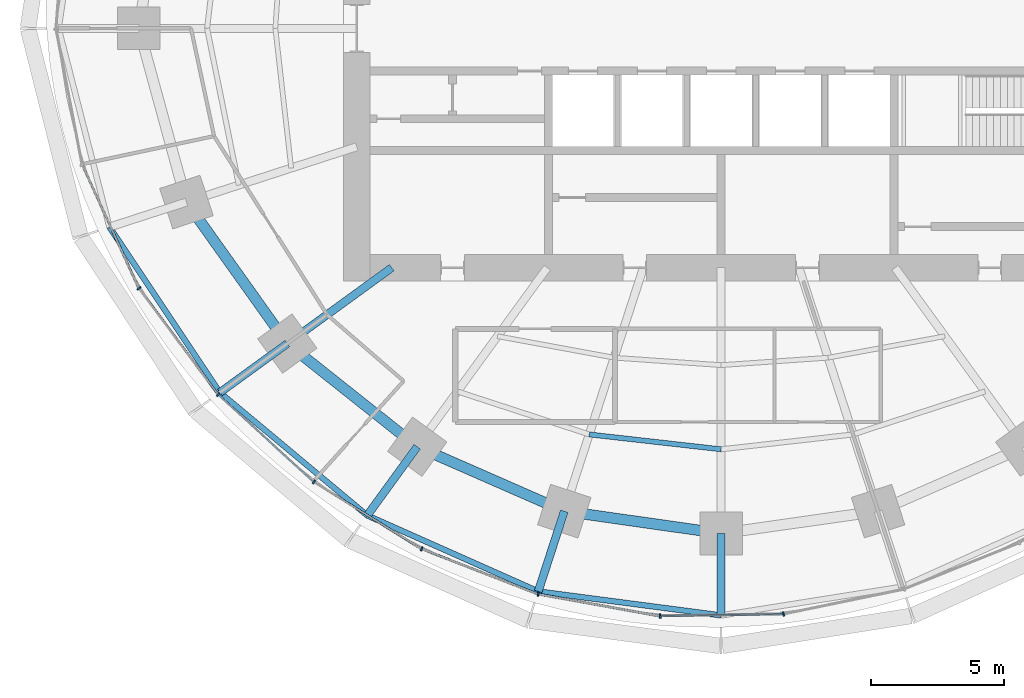
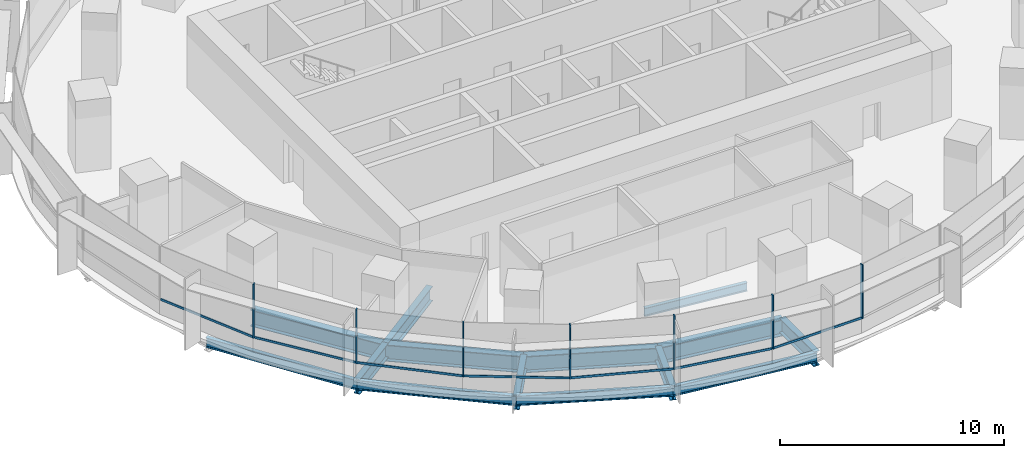
# One storey, part 2 of 14: 14 beams, 14 members, 2 elements without a shape of their own.
"""IFC4 building model written with IfcOpenShell, lengths in metres."""

from ifc_helpers import new_model, si_unit, direction, frame, origin, origin_2d, place, context, subcontext, project, spatial, rectangle, i_section, extrude, material, material_profile, profile_set, type_object, element, aggregate, save


model = new_model("IFC4")

# Units and contexts
model_context = context("Model", 3, precision=1e-05, world=origin(), true_north=direction((0.0, 1.0)))
body_context = subcontext(model_context, "Body", "Model", "MODEL_VIEW")
ifc_project = project(units=[si_unit("LENGTHUNIT", "METRE"), si_unit("AREAUNIT", "SQUARE_METRE"), si_unit("VOLUMEUNIT", "CUBIC_METRE"), si_unit("PLANEANGLEUNIT", "RADIAN"), si_unit("MASSUNIT", "GRAM", prefix="KILO")], contexts=[model_context])

# Site, building, storey
site_placement = place(None, origin())
site = spatial("IfcSite", under=ifc_project, at=site_placement, CompositionType="ELEMENT")
building_placement = place(site_placement, origin())
building = spatial("IfcBuilding", under=site, at=building_placement, Name="Marramba Exchange Tower", CompositionType="ELEMENT")
storey_placement = place(building_placement, frame((0.0, 0.0, 104.10009765625)))
storey = spatial("IfcBuildingStorey", under=building, at=storey_placement, Name="L24", CompositionType="ELEMENT", Elevation=104.10009765625)

# Beams
ifc_material_1 = material(Name="Steel AS/NZS 3679.2 grade 300", Category="steel")
ifc_material_profile_1 = material_profile(ifc_material_1, i_section(OverallWidth=0.300048828125, OverallDepth=0.800048828125, WebThickness=0.013916015625, FlangeThickness=0.031982421875, at=origin_2d()), Name="800WB192")
ifc_profile_set_1 = profile_set([ifc_material_profile_1], Name="Steel AS/NZS 3679.2 grade 300")
beam_type_1 = type_object("IfcBeamType", Name="Cantilever girder 800WB192", PredefinedType="BEAM", material=ifc_profile_set_1)
beam_1_placement = place(storey_placement, frame((-16.3154296875, -11.853759765625, -0.56005859375), z_axis=(-0.809025813822, -0.587773113173, 0.0), x_axis=(0.587773113173, -0.809025813822, 0.0)))
element("IfcBeam", 1, at=beam_1_placement, inside=storey, type_object=beam_type_1, Name="Cantilever girder L24 TC13", PredefinedType="BEAM", context=body_context, shape_type="SweptSolid", body=[
    extrude(i_section(OverallWidth=0.300048828125, OverallDepth=0.800048828125, WebThickness=0.013916015625, FlangeThickness=0.031982421875, at=origin_2d()), origin(), (0.0, 0.0, 1.0), 3.132568359375),
])
beam_2_placement = place(storey_placement, frame((-11.430419921875, -15.732666015625, -0.56005859375), z_axis=(-0.587767308424, -0.809030031054, 0.0), x_axis=(0.809030031054, -0.587767308424, 0.0)))
element("IfcBeam", 2, at=beam_2_placement, inside=storey, type_object=beam_type_1, Name="Cantilever girder L24 TC14", PredefinedType="BEAM", context=body_context, shape_type="SweptSolid", body=[
    extrude(i_section(OverallWidth=0.300048828125, OverallDepth=0.800048828125, WebThickness=0.013916015625, FlangeThickness=0.031982421875, at=origin_2d()), origin(), (0.0, 0.0, 1.0), 3.195556640625),
])
beam_3_placement = place(storey_placement, frame((-5.899658203125, -18.156982421875, -0.56005859375), z_axis=(-0.309018232614, -0.951056113966, 0.0), x_axis=(0.951056113966, -0.309018232614, 0.0)))
element("IfcBeam", 3, at=beam_3_placement, inside=storey, type_object=beam_type_1, Name="Cantilever girder L24 TC15", PredefinedType="BEAM", context=body_context, shape_type="SweptSolid", body=[
    extrude(i_section(OverallWidth=0.300048828125, OverallDepth=0.800048828125, WebThickness=0.013916015625, FlangeThickness=0.031982421875, at=origin_2d()), origin(), (0.0, 0.0, 1.0), 3.173583984375),
])
beam_4_placement = place(storey_placement, frame((0.0, -18.99609375, -0.56005859375), z_axis=(0.0, -1.0, 0.0), x_axis=(1.0, 0.0, 0.0)))
element("IfcBeam", 4, at=beam_4_placement, inside=storey, type_object=beam_type_1, Name="Cantilever girder L24 TC16", PredefinedType="BEAM", context=body_context, shape_type="SweptSolid", body=[
    extrude(i_section(OverallWidth=0.300048828125, OverallDepth=0.800048828125, WebThickness=0.013916015625, FlangeThickness=0.031982421875, at=origin_2d()), origin(), (0.0, 0.0, 1.0), 3.080810546875),
])
ifc_material_2 = material(Name="Steel AS/NZS 3679.1 grade 300", Category="steel")
ifc_material_profile_2 = material_profile(ifc_material_2, i_section(OverallWidth=0.18994140625, OverallDepth=0.4541015625, WebThickness=0.008544921875, FlangeThickness=0.0126953125, FilletRadius=0.011474609375, at=origin_2d()), Name="460UB67.1")
ifc_profile_set_2 = profile_set([ifc_material_profile_2], Name="Steel AS/NZS 3679.1 grade 300")
beam_type_2 = type_object("IfcBeamType", Name="Floor joist 460UB67.1", PredefinedType="JOIST", material=ifc_profile_set_2)
beam_5_placement = place(storey_placement, frame((-4.9619140625, -15.271484375, -0.38720703125), z_axis=(0.993712018573, -0.111966174106, 0.0), x_axis=(0.111966174106, 0.993712018573, 0.0)))
element("IfcBeam", 5, at=beam_5_placement, inside=storey, type_object=beam_type_2, Name="Joist L24 bay 15 row 2", PredefinedType="JOIST", context=body_context, shape_type="SweptSolid", body=[
    extrude(i_section(OverallWidth=0.18994140625, OverallDepth=0.4541015625, WebThickness=0.008544921875, FlangeThickness=0.0126953125, FilletRadius=0.011474609375, at=origin_2d()), origin(), (0.0, 0.0, 1.0), 4.993408203125),
])

# Curtain wall, members
ifc_material_3 = material(Name="Aluminium framing, bronze anodised", Category="aluminium")
curtain_wall_type = type_object("IfcCurtainWallType", Name="Office ribbon curtain wall", PredefinedType="USERDEFINED", material=ifc_material_3)
curtain_wall_1_placement = place(storey_placement, origin())
curtain_wall_1 = element("IfcCurtainWall", 6, at=curtain_wall_1_placement, inside=storey, type_object=curtain_wall_type, Name="Curtain wall CW4 L24 F16-F20", ObjectType="RIBBON CURTAIN WALL", PredefinedType="USERDEFINED")
ifc_material_4 = material(Name="Aluminium mullion, bronze anodised", Category="aluminium")
ifc_material_profile_3 = material_profile(ifc_material_4, rectangle(XDim=0.159912109375, YDim=0.06005859375, at=origin_2d()), Name="CW4 mullion 60x160")
ifc_profile_set_3 = profile_set([ifc_material_profile_3], Name="Aluminium mullion, bronze anodised")
member_type_1 = type_object("IfcMemberType", Name="Office ribbon curtain wall mullion", PredefinedType="MULLION", material=ifc_profile_set_3)
member_1_placement = place(storey_placement, frame((-21.891357421875, -9.778564453125, 0.7998046875), z_axis=(0.0, 0.0, 1.0), x_axis=(0.802014400683, 0.597304697033, 0.0)))
member_1 = element("IfcMember", 7, at=member_1_placement, type_object=member_type_1, Name="CW4 mullion 1", PredefinedType="MULLION", context=body_context, shape_type="SweptSolid", body=[
    extrude(rectangle(XDim=0.159912109375, YDim=0.06005859375, at=origin_2d()), origin(), (0.0, 0.0, 1.0), 2.940185546875),
])
member_2_placement = place(storey_placement, frame((-18.90869140625, -13.774169921875, 0.7998046875), z_axis=(0.0, 0.0, 1.0), x_axis=(0.674995455115, 0.737821886077, 0.0)))
member_2 = element("IfcMember", 8, at=member_2_placement, type_object=member_type_1, Name="CW4 mullion 1", PredefinedType="MULLION", context=body_context, shape_type="SweptSolid", body=[
    extrude(rectangle(XDim=0.159912109375, YDim=0.06005859375, at=origin_2d()), origin(), (0.0, 0.0, 1.0), 2.940185546875),
])
member_3_placement = place(storey_placement, frame((-15.315673828125, -17.053955078125, 0.7998046875), z_axis=(0.0, 0.0, 1.0), x_axis=(0.52942844364, 0.84835459748, 0.0)))
member_3 = element("IfcMember", 9, at=member_3_placement, type_object=member_type_1, Name="CW4 mullion 1", PredefinedType="MULLION", context=body_context, shape_type="SweptSolid", body=[
    extrude(rectangle(XDim=0.159912109375, YDim=0.06005859375, at=origin_2d()), origin(), (0.0, 0.0, 1.0), 2.940185546875),
])

curtain_wall_2_placement = place(storey_placement, origin())
curtain_wall_2 = element("IfcCurtainWall", 10, at=curtain_wall_2_placement, inside=storey, type_object=curtain_wall_type, Name="Curtain wall CW4 L24 F21-F25", ObjectType="RIBBON CURTAIN WALL", PredefinedType="USERDEFINED")
member_4_placement = place(storey_placement, frame((-11.266845703125, -19.573974609375, 0.7998046875), z_axis=(0.0, 0.0, 1.0), x_axis=(0.36292490603, 0.931818390344, 0.0)))
member_4 = element("IfcMember", 11, at=member_4_placement, type_object=member_type_1, Name="CW4 mullion 1", PredefinedType="MULLION", context=body_context, shape_type="SweptSolid", body=[
    extrude(rectangle(XDim=0.159912109375, YDim=0.06005859375, at=origin_2d()), origin(), (0.0, 0.0, 1.0), 2.940185546875),
])
member_5_placement = place(storey_placement, frame((-6.881591796875, -21.27587890625, 0.7998046875), z_axis=(0.0, 0.0, 1.0), x_axis=(0.177992379115, 0.984031865834, 0.0)))
member_5 = element("IfcMember", 12, at=member_5_placement, type_object=member_type_1, Name="CW4 mullion 1", PredefinedType="MULLION", context=body_context, shape_type="SweptSolid", body=[
    extrude(rectangle(XDim=0.159912109375, YDim=0.06005859375, at=origin_2d()), origin(), (0.0, 0.0, 1.0), 2.940185546875),
])
member_6_placement = place(storey_placement, frame((-2.292724609375, -22.099853515625, 0.7998046875), z_axis=(0.0, 0.0, 1.0), x_axis=(-0.015178646521, 0.999884797709, 0.0)))
member_6 = element("IfcMember", 13, at=member_6_placement, type_object=member_type_1, Name="CW4 mullion 1", PredefinedType="MULLION", context=body_context, shape_type="SweptSolid", body=[
    extrude(rectangle(XDim=0.159912109375, YDim=0.06005859375, at=origin_2d()), origin(), (0.0, 0.0, 1.0), 2.940185546875),
])
member_7_placement = place(storey_placement, frame((2.3447265625, -22.02392578125, 0.7998046875), z_axis=(0.0, 0.0, 1.0), x_axis=(-0.202364850159, 0.979310199794, 0.0)))
member_7 = element("IfcMember", 14, at=member_7_placement, type_object=member_type_1, Name="CW4 mullion 1", PredefinedType="MULLION", context=body_context, shape_type="SweptSolid", body=[
    extrude(rectangle(XDim=0.159912109375, YDim=0.06005859375, at=origin_2d()), origin(), (0.0, 0.0, 1.0), 2.940185546875),
])

# Member
ifc_material_5 = material(Name="Aluminium transom, bronze anodised", Category="aluminium")
ifc_material_profile_4 = material_profile(ifc_material_5, rectangle(XDim=0.06005859375, YDim=0.1201171875, at=origin_2d()), Name="CW4 transom 60x120")
ifc_profile_set_4 = profile_set([ifc_material_profile_4], Name="Aluminium transom, bronze anodised")
member_type_2 = type_object("IfcMemberType", Name="Office ribbon curtain wall transom", PredefinedType="USERDEFINED", material=ifc_profile_set_4)
member_8_placement = place(storey_placement, frame((-24.013671875, -5.1640625, 0.829833984375), z_axis=(0.416732948599, -0.909028959688, 0.0), x_axis=(0.909028959688, 0.416732948599, 0.0)))
member_8 = element("IfcMember", 15, at=member_8_placement, type_object=member_type_2, Name="CW4 sill transom", ObjectType="TRANSOM", PredefinedType="USERDEFINED", context=body_context, shape_type="SweptSolid", body=[
    extrude(rectangle(XDim=0.06005859375, YDim=0.1201171875, at=origin_2d()), origin(), (0.0, 0.0, 1.0), 5.050048828125),
])

member_9_placement = place(storey_placement, frame((-21.873291015625, -9.802734375, 0.829833984375), z_axis=(0.597300736643, -0.80201735019, 0.0), x_axis=(0.80201735019, 0.597300736643, 0.0)))
member_9 = element("IfcMember", 16, at=member_9_placement, type_object=member_type_2, Name="CW4 sill transom", ObjectType="TRANSOM", PredefinedType="USERDEFINED", context=body_context, shape_type="SweptSolid", body=[
    extrude(rectangle(XDim=0.06005859375, YDim=0.1201171875, at=origin_2d()), origin(), (0.0, 0.0, 1.0), 4.926513671875),
])

member_10_placement = place(storey_placement, frame((-18.886474609375, -13.79443359375, 0.829833984375), z_axis=(0.737807565469, -0.675011108306, 0.0), x_axis=(0.675011108306, 0.737807565469, 0.0)))
member_10 = element("IfcMember", 17, at=member_10_placement, type_object=member_type_2, Name="CW4 sill transom", ObjectType="TRANSOM", PredefinedType="USERDEFINED", context=body_context, shape_type="SweptSolid", body=[
    extrude(rectangle(XDim=0.06005859375, YDim=0.1201171875, at=origin_2d()), origin(), (0.0, 0.0, 1.0), 4.805419921875),
])

member_11_placement = place(storey_placement, frame((-15.2900390625, -17.06982421875, 0.829833984375), z_axis=(0.848373790728, -0.529397687193, 0.0), x_axis=(0.529397687193, 0.848373790728, 0.0)))
member_11 = element("IfcMember", 18, at=member_11_placement, type_object=member_type_2, Name="CW4 sill transom", ObjectType="TRANSOM", PredefinedType="USERDEFINED", context=body_context, shape_type="SweptSolid", body=[
    extrude(rectangle(XDim=0.06005859375, YDim=0.1201171875, at=origin_2d()), origin(), (0.0, 0.0, 1.0), 4.70947265625),
])

aggregate(curtain_wall_1, [member_8, member_1, member_9, member_2, member_10, member_3, member_11])

member_12_placement = place(storey_placement, frame((-11.23876953125, -19.5849609375, 0.829833984375), z_axis=(0.931817106708, -0.362928201778, 0.0), x_axis=(0.362928201778, 0.931817106708, 0.0)))
member_12 = element("IfcMember", 19, at=member_12_placement, type_object=member_type_2, Name="CW4 sill transom", ObjectType="TRANSOM", PredefinedType="USERDEFINED", context=body_context, shape_type="SweptSolid", body=[
    extrude(rectangle(XDim=0.06005859375, YDim=0.1201171875, at=origin_2d()), origin(), (0.0, 0.0, 1.0), 4.644287109375),
])

member_13_placement = place(storey_placement, frame((-6.85205078125, -21.281005859375, 0.829833984375), z_axis=(0.98402906811, -0.178007845654, 0.0), x_axis=(0.178007845654, 0.98402906811, 0.0)))
member_13 = element("IfcMember", 20, at=member_13_placement, type_object=member_type_2, Name="CW4 sill transom", ObjectType="TRANSOM", PredefinedType="USERDEFINED", context=body_context, shape_type="SweptSolid", body=[
    extrude(rectangle(XDim=0.06005859375, YDim=0.1201171875, at=origin_2d()), origin(), (0.0, 0.0, 1.0), 4.602783203125),
])

member_14_placement = place(storey_placement, frame((-2.262939453125, -22.099365234375, 0.829833984375), z_axis=(0.999885345665, 0.015142507235, 0.0), x_axis=(-0.015142507235, 0.999885345665, 0.0)))
member_14 = element("IfcMember", 21, at=member_14_placement, type_object=member_type_2, Name="CW4 sill transom", ObjectType="TRANSOM", PredefinedType="USERDEFINED", context=body_context, shape_type="SweptSolid", body=[
    extrude(rectangle(XDim=0.06005859375, YDim=0.1201171875, at=origin_2d()), origin(), (0.0, 0.0, 1.0), 4.578857421875),
])

aggregate(curtain_wall_2, [member_4, member_12, member_5, member_13, member_6, member_14, member_7])

# Beams
ifc_material_profile_5 = material_profile(ifc_material_1, i_section(OverallWidth=0.300048828125, OverallDepth=0.800048828125, WebThickness=0.013916015625, FlangeThickness=0.031982421875, at=origin_2d()), Name="800WB192")
ifc_profile_set_5 = profile_set([ifc_material_profile_5], Name="Steel AS/NZS 3679.2 grade 300")
beam_type_3 = type_object("IfcBeamType", Name="Radial girder 800WB192", PredefinedType="BEAM", material=ifc_profile_set_5)
beam_6_placement = place(storey_placement, frame((-12.387451171875, -9.0, -0.56005859375), z_axis=(-0.809025189606, -0.58777397236, 0.0), x_axis=(0.58777397236, -0.809025189606, 0.0)))
element("IfcBeam", 22, at=beam_6_placement, inside=storey, type_object=beam_type_3, Name="Radial girder L24 TC13", PredefinedType="BEAM", context=body_context, shape_type="SweptSolid", body=[
    extrude(i_section(OverallWidth=0.300048828125, OverallDepth=0.800048828125, WebThickness=0.013916015625, FlangeThickness=0.031982421875, at=origin_2d()), origin(), (0.0, 0.0, 1.0), 4.855224609375),
])
ifc_material_profile_6 = material_profile(ifc_material_1, i_section(OverallWidth=0.39990234375, OverallDepth=0.89990234375, WebThickness=0.01611328125, FlangeThickness=0.031982421875, at=origin_2d()), Name="900WB282")
ifc_profile_set_6 = profile_set([ifc_material_profile_6], Name="Steel AS/NZS 3679.2 grade 300")
beam_type_4 = type_object("IfcBeamType", Name="Ring beam 900WB282", PredefinedType="SPANDREL", material=ifc_profile_set_6)
beam_7_placement = place(storey_placement, frame((-20.109375, -6.533935546875, -0.610107421875), z_axis=(0.580637181111, -0.814162430914, 0.0), x_axis=(0.814162430914, 0.580637181111, 0.0)))
element("IfcBeam", 23, at=beam_7_placement, inside=storey, type_object=beam_type_4, Name="Ring beam L24 TC12-TC13", PredefinedType="SPANDREL", context=body_context, shape_type="SweptSolid", body=[
    extrude(i_section(OverallWidth=0.39990234375, OverallDepth=0.89990234375, WebThickness=0.01611328125, FlangeThickness=0.031982421875, at=origin_2d()), origin(), (0.0, 0.0, 1.0), 6.5341796875),
])
beam_8_placement = place(storey_placement, frame((-16.3154296875, -11.853759765625, -0.610107421875), z_axis=(0.783139438128, -0.621846138887, 0.0), x_axis=(0.621846138887, 0.783139438128, 0.0)))
element("IfcBeam", 24, at=beam_8_placement, inside=storey, type_object=beam_type_4, Name="Ring beam L24 TC13-TC14", PredefinedType="SPANDREL", context=body_context, shape_type="SweptSolid", body=[
    extrude(i_section(OverallWidth=0.39990234375, OverallDepth=0.89990234375, WebThickness=0.01611328125, FlangeThickness=0.031982421875, at=origin_2d()), origin(), (0.0, 0.0, 1.0), 6.23779296875),
])
beam_9_placement = place(storey_placement, frame((-11.430419921875, -15.732666015625, -0.610107421875), z_axis=(0.915876892158, -0.4014592363, 0.0), x_axis=(0.4014592363, 0.915876892158, 0.0)))
element("IfcBeam", 25, at=beam_9_placement, inside=storey, type_object=beam_type_4, Name="Ring beam L24 TC14-TC15", PredefinedType="SPANDREL", context=body_context, shape_type="SweptSolid", body=[
    extrude(i_section(OverallWidth=0.39990234375, OverallDepth=0.89990234375, WebThickness=0.01611328125, FlangeThickness=0.031982421875, at=origin_2d()), origin(), (0.0, 0.0, 1.0), 6.038818359375),
])
beam_10_placement = place(storey_placement, frame((-5.899658203125, -18.156982421875, -0.610107421875), z_axis=(0.990036163016, -0.140813337152, 0.0), x_axis=(0.140813337152, 0.990036163016, 0.0)))
element("IfcBeam", 26, at=beam_10_placement, inside=storey, type_object=beam_type_4, Name="Ring beam L24 TC15-TC16", PredefinedType="SPANDREL", context=body_context, shape_type="SweptSolid", body=[
    extrude(i_section(OverallWidth=0.39990234375, OverallDepth=0.89990234375, WebThickness=0.01611328125, FlangeThickness=0.031982421875, at=origin_2d()), origin(), (0.0, 0.0, 1.0), 5.958984375),
])
ifc_material_profile_7 = material_profile(ifc_material_2, i_section(OverallWidth=0.208984375, OverallDepth=0.528076171875, WebThickness=0.009521484375, FlangeThickness=0.01318359375, FilletRadius=0.013916015625, at=origin_2d()), Name="530UB82.0")
ifc_profile_set_7 = profile_set([ifc_material_profile_7], Name="Steel AS/NZS 3679.1 grade 300")
beam_type_5 = type_object("IfcBeamType", Name="Slab edge beam 530UB82.0", PredefinedType="SPANDREL", material=ifc_profile_set_7)
beam_11_placement = place(storey_placement, frame((-23.00341796875, -7.47412109375, -0.424072265625), z_axis=(0.555280023791, -0.831663450669, 0.0), x_axis=(0.831663450669, 0.555280023791, 0.0)))
element("IfcBeam", 27, at=beam_11_placement, inside=storey, type_object=beam_type_5, Name="Slab edge beam L24 TC12-TC13", PredefinedType="SPANDREL", context=body_context, shape_type="SweptSolid", body=[
    extrude(i_section(OverallWidth=0.208984375, OverallDepth=0.528076171875, WebThickness=0.009521484375, FlangeThickness=0.01318359375, FilletRadius=0.013916015625, at=origin_2d()), origin(), (0.0, 0.0, 1.0), 7.480224609375),
])
beam_12_placement = place(storey_placement, frame((-18.849853515625, -13.695068359375, -0.424072265625), z_axis=(0.767874532322, -0.640600267415, 0.0), x_axis=(0.640600267415, 0.767874532322, 0.0)))
element("IfcBeam", 28, at=beam_12_placement, inside=storey, type_object=beam_type_5, Name="Slab edge beam L24 TC13-TC14", PredefinedType="SPANDREL", context=body_context, shape_type="SweptSolid", body=[
    extrude(i_section(OverallWidth=0.208984375, OverallDepth=0.528076171875, WebThickness=0.009521484375, FlangeThickness=0.01318359375, FilletRadius=0.013916015625, at=origin_2d()), origin(), (0.0, 0.0, 1.0), 7.21630859375),
])
beam_13_placement = place(storey_placement, frame((-13.30859375, -18.31787109375, -0.424072265625), z_axis=(0.913788648873, -0.406189986571, 0.0), x_axis=(0.406189986571, 0.913788648873, 0.0)))
element("IfcBeam", 29, at=beam_13_placement, inside=storey, type_object=beam_type_5, Name="Slab edge beam L24 TC14-TC15", PredefinedType="SPANDREL", context=body_context, shape_type="SweptSolid", body=[
    extrude(i_section(OverallWidth=0.208984375, OverallDepth=0.528076171875, WebThickness=0.009521484375, FlangeThickness=0.01318359375, FilletRadius=0.013916015625, at=origin_2d()), origin(), (0.0, 0.0, 1.0), 7.03466796875),
])
beam_14_placement = place(storey_placement, frame((-6.88037109375, -21.17529296875, -0.424072265625), z_axis=(0.991523133546, -0.129930272237, 0.0), x_axis=(0.129930272237, 0.991523133546, 0.0)))
element("IfcBeam", 30, at=beam_14_placement, inside=storey, type_object=beam_type_5, Name="Slab edge beam L24 TC15-TC16", PredefinedType="SPANDREL", context=body_context, shape_type="SweptSolid", body=[
    extrude(i_section(OverallWidth=0.208984375, OverallDepth=0.528076171875, WebThickness=0.009521484375, FlangeThickness=0.01318359375, FilletRadius=0.013916015625, at=origin_2d()), origin(), (0.0, 0.0, 1.0), 6.939208984375),
])

save(model, "model.ifc")
